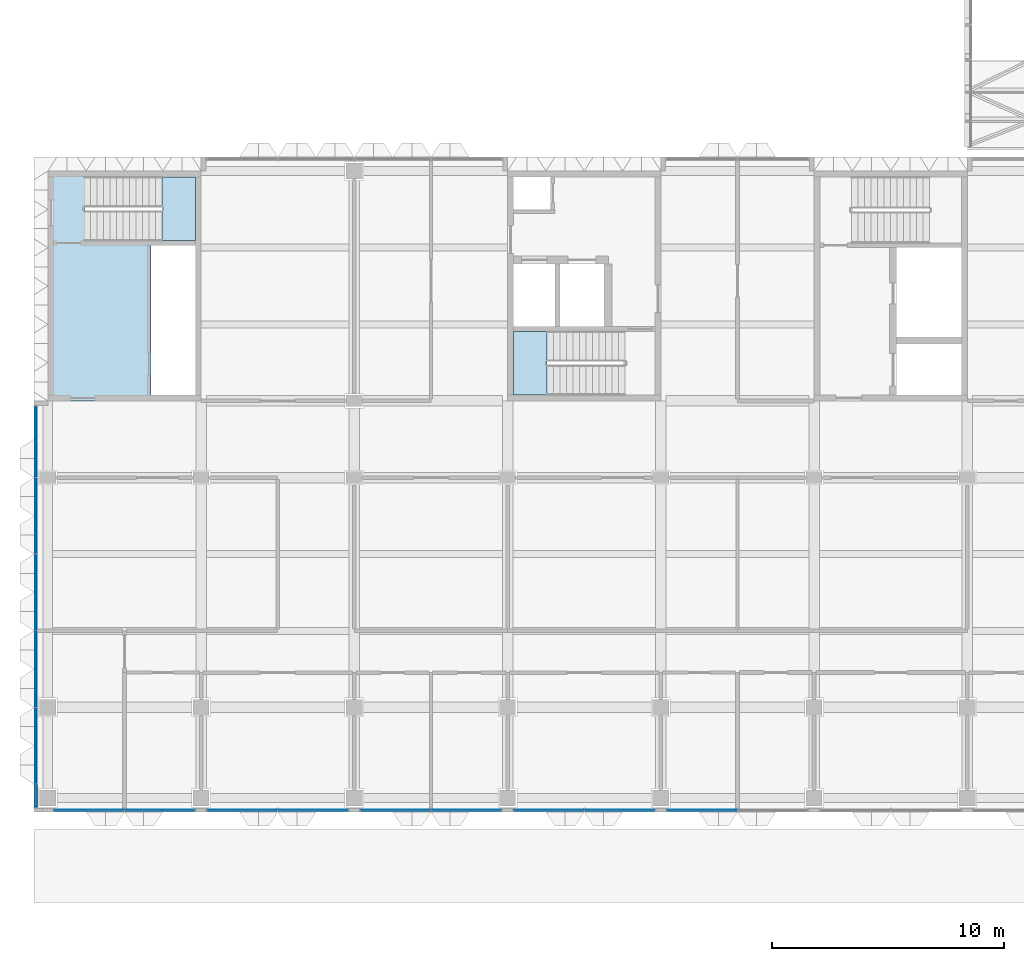
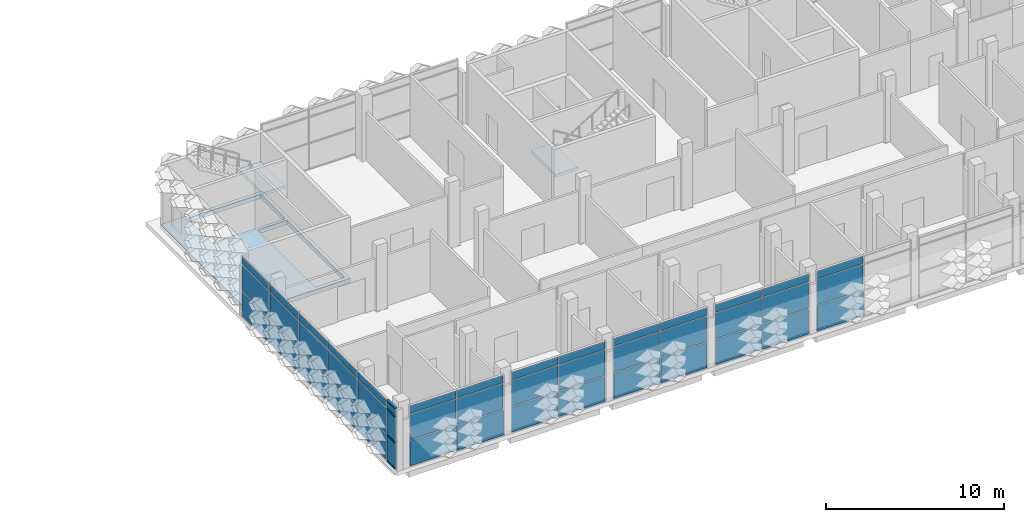
# One storey, part 41 of 109: 45 plates, 4 members, 3 slabs, 8 elements without a shape of their own.
"""IFC4 building model written with IfcOpenShell, lengths in metres."""

from ifc_helpers import new_model, si_unit, direction, frame, origin, origin_2d, place, context, subcontext, project, spatial, polyline, rectangle, outline, extrude, material, layer, layer_set, material_profile, profile_set, type_object, element, aggregate, save


model = new_model("IFC4")

# Units and contexts
model_context = context("Model", 3, precision=1e-05, world=origin(), true_north=direction((0.0, 1.0)))
body_context = subcontext(model_context, "Body", "Model", "MODEL_VIEW")
ifc_project = project(units=[si_unit("LENGTHUNIT", "METRE"), si_unit("AREAUNIT", "SQUARE_METRE"), si_unit("VOLUMEUNIT", "CUBIC_METRE"), si_unit("PLANEANGLEUNIT", "RADIAN"), si_unit("MASSUNIT", "GRAM", prefix="KILO")], contexts=[model_context])

# Site, building, storey
site_placement = place(None, origin())
site = spatial("IfcSite", under=ifc_project, at=site_placement, CompositionType="ELEMENT")
building_placement = place(site_placement, origin())
building = spatial("IfcBuilding", under=site, at=building_placement, Name="Lantern Court Research Institute", CompositionType="ELEMENT")
storey_placement = place(building_placement, frame((0.0, 0.0, 14.39990234375)))
storey = spatial("IfcBuildingStorey", under=building, at=storey_placement, Name="L03", CompositionType="ELEMENT", Elevation=14.39990234375)

# Curtain wall, members
ifc_material_1 = material(Name="Aluminium alloy 6063-T6", Category="aluminium")
curtain_wall_type_1 = type_object("IfcCurtainWallType", Name="Curtain wall 17350 x 4200 x 150 aluminium frame", PredefinedType="NOTDEFINED", material=ifc_material_1)
curtain_wall_1_placement = place(storey_placement, origin())
curtain_wall_1 = element("IfcCurtainWall", 1, at=curtain_wall_1_placement, inside=storey, type_object=curtain_wall_type_1, Name="Curtain wall CW056", PredefinedType="NOTDEFINED")
ifc_material_2 = material(Name="Aluminium alloy 6063-T6", Category="aluminium")
ifc_material_profile = material_profile(ifc_material_2, rectangle(XDim=0.14990234375, YDim=0.06005859375, at=origin_2d()), Name="Transom 150 x 60")
ifc_profile_set = profile_set([ifc_material_profile], Name="Aluminium alloy 6063-T6")
member_type = type_object("IfcMemberType", Name="Transom 150 x 60 aluminium", PredefinedType="USERDEFINED", material=ifc_profile_set)
member_1_placement = place(storey_placement, frame((-0.52490234375, -4.2900390625, 0.030029296875), z_axis=(0.0, 1.0, 0.0), x_axis=(-1.0, 0.0, 0.0)))
member_1 = element("IfcMember", 2, at=member_1_placement, type_object=member_type, Name="CW056 transom 1.1", ObjectType="TRANSOM", PredefinedType="USERDEFINED", context=body_context, shape_type="SweptSolid", body=[
    extrude(rectangle(XDim=0.14990234375, YDim=0.06005859375, at=origin_2d()), origin(), (0.0, 0.0, 1.0), 0.9599609375),
])
member_2_placement = place(storey_placement, frame((-0.52490234375, -4.2900390625, 1.800048828125), z_axis=(0.0, 1.0, 0.0), x_axis=(-1.0, 0.0, 0.0)))
member_2 = element("IfcMember", 3, at=member_2_placement, type_object=member_type, Name="CW056 transom 1.2", ObjectType="TRANSOM", PredefinedType="USERDEFINED", context=body_context, shape_type="SweptSolid", body=[
    extrude(rectangle(XDim=0.14990234375, YDim=0.06005859375, at=origin_2d()), origin(), (0.0, 0.0, 1.0), 0.9599609375),
])
member_3_placement = place(storey_placement, frame((-0.52490234375, -4.2900390625, 3.60009765625), z_axis=(0.0, 1.0, 0.0), x_axis=(-1.0, 0.0, 0.0)))
member_3 = element("IfcMember", 4, at=member_3_placement, type_object=member_type, Name="CW056 transom 1.3", ObjectType="TRANSOM", PredefinedType="USERDEFINED", context=body_context, shape_type="SweptSolid", body=[
    extrude(rectangle(XDim=0.14990234375, YDim=0.06005859375, at=origin_2d()), origin(), (0.0, 0.0, 1.0), 0.9599609375),
])
member_4_placement = place(storey_placement, frame((-0.52490234375, -4.2900390625, 4.170166015625), z_axis=(0.0, 1.0, 0.0), x_axis=(-1.0, 0.0, 0.0)))
member_4 = element("IfcMember", 5, at=member_4_placement, type_object=member_type, Name="CW056 transom 1.4", ObjectType="TRANSOM", PredefinedType="USERDEFINED", context=body_context, shape_type="SweptSolid", body=[
    extrude(rectangle(XDim=0.14990234375, YDim=0.06005859375, at=origin_2d()), origin(), (0.0, 0.0, 1.0), 0.9599609375),
])

# Curtain wall, plates
ifc_material_3 = material(Name="Aluminium alloy 6063-T6", Category="aluminium")
curtain_wall_type_2 = type_object("IfcCurtainWallType", Name="Curtain wall 6150 x 4200 x 150 aluminium frame", PredefinedType="NOTDEFINED", material=ifc_material_3)
curtain_wall_2_placement = place(storey_placement, origin())
curtain_wall_2 = element("IfcCurtainWall", 6, at=curtain_wall_2_placement, inside=storey, type_object=curtain_wall_type_2, Name="Curtain wall CW048", PredefinedType="NOTDEFINED")
ifc_material_4 = material(Name="Insulated aluminium spandrel panel", Category="aluminium")
ifc_layer_1 = layer(ifc_material_4, 0.10009765625)
ifc_layer_set_1 = layer_set([ifc_layer_1], Name="Insulated aluminium spandrel panel")
plate_type_1 = type_object("IfcPlateType", Name="Insulated spandrel panel 100 mm for south sun", PredefinedType="CURTAIN_PANEL", material=ifc_layer_set_1)
plate_1_placement = place(storey_placement, frame((1.777587890625, -4.425048828125, 0.06005859375), z_axis=(0.0, 0.0, 1.0), x_axis=(-1.0, 0.0, 0.0)))
plate_1 = element("IfcPlate", 7, at=plate_1_placement, type_object=plate_type_1, Name="CW048 spandrel panel 1.1", PredefinedType="CURTAIN_PANEL", context=body_context, shape_type="SweptSolid", body=[
    extrude(rectangle(XDim=2.985107421875, YDim=0.10009765625, at=origin_2d()), origin(), (0.0, 0.0, 1.0), 1.7099609375),
])
plate_2_placement = place(storey_placement, frame((4.822509765625, -4.425048828125, 0.06005859375), z_axis=(0.0, 0.0, 1.0), x_axis=(-1.0, 0.0, 0.0)))
plate_2 = element("IfcPlate", 8, at=plate_2_placement, type_object=plate_type_1, Name="CW048 spandrel panel 2.1", PredefinedType="CURTAIN_PANEL", context=body_context, shape_type="SweptSolid", body=[
    extrude(rectangle(XDim=2.985107421875, YDim=0.10009765625, at=origin_2d()), origin(), (0.0, 0.0, 1.0), 1.7099609375),
])

curtain_wall_3_placement = place(storey_placement, origin())
curtain_wall_3 = element("IfcCurtainWall", 9, at=curtain_wall_3_placement, inside=storey, type_object=curtain_wall_type_2, Name="Curtain wall CW049", PredefinedType="NOTDEFINED")
plate_3_placement = place(storey_placement, frame((8.37744140625, -4.425048828125, 0.06005859375), z_axis=(0.0, 0.0, 1.0), x_axis=(-1.0, 0.0, 0.0)))
plate_3 = element("IfcPlate", 10, at=plate_3_placement, type_object=plate_type_1, Name="CW049 spandrel panel 1.1", PredefinedType="CURTAIN_PANEL", context=body_context, shape_type="SweptSolid", body=[
    extrude(rectangle(XDim=2.985107421875, YDim=0.10009765625, at=origin_2d()), origin(), (0.0, 0.0, 1.0), 1.7099609375),
])
plate_4_placement = place(storey_placement, frame((11.422607421875, -4.425048828125, 0.06005859375), z_axis=(0.0, 0.0, 1.0), x_axis=(-1.0, 0.0, 0.0)))
plate_4 = element("IfcPlate", 11, at=plate_4_placement, type_object=plate_type_1, Name="CW049 spandrel panel 2.1", PredefinedType="CURTAIN_PANEL", context=body_context, shape_type="SweptSolid", body=[
    extrude(rectangle(XDim=2.985107421875, YDim=0.10009765625, at=origin_2d()), origin(), (0.0, 0.0, 1.0), 1.7099609375),
])

curtain_wall_4_placement = place(storey_placement, origin())
curtain_wall_4 = element("IfcCurtainWall", 12, at=curtain_wall_4_placement, inside=storey, type_object=curtain_wall_type_2, Name="Curtain wall CW050", PredefinedType="NOTDEFINED")
plate_5_placement = place(storey_placement, frame((14.9775390625, -4.425048828125, 0.06005859375), z_axis=(0.0, 0.0, 1.0), x_axis=(-1.0, 0.0, 0.0)))
plate_5 = element("IfcPlate", 13, at=plate_5_placement, type_object=plate_type_1, Name="CW050 spandrel panel 1.1", PredefinedType="CURTAIN_PANEL", context=body_context, shape_type="SweptSolid", body=[
    extrude(rectangle(XDim=2.985107421875, YDim=0.10009765625, at=origin_2d()), origin(), (0.0, 0.0, 1.0), 1.7099609375),
])
plate_6_placement = place(storey_placement, frame((18.0224609375, -4.425048828125, 0.06005859375), z_axis=(0.0, 0.0, 1.0), x_axis=(-1.0, 0.0, 0.0)))
plate_6 = element("IfcPlate", 14, at=plate_6_placement, type_object=plate_type_1, Name="CW050 spandrel panel 2.1", PredefinedType="CURTAIN_PANEL", context=body_context, shape_type="SweptSolid", body=[
    extrude(rectangle(XDim=2.985107421875, YDim=0.10009765625, at=origin_2d()), origin(), (0.0, 0.0, 1.0), 1.7099609375),
])

curtain_wall_5_placement = place(storey_placement, origin())
curtain_wall_5 = element("IfcCurtainWall", 15, at=curtain_wall_5_placement, inside=storey, type_object=curtain_wall_type_2, Name="Curtain wall CW051", PredefinedType="NOTDEFINED")
plate_7_placement = place(storey_placement, frame((21.577392578125, -4.425048828125, 0.06005859375), z_axis=(0.0, 0.0, 1.0), x_axis=(-1.0, 0.0, 0.0)))
plate_7 = element("IfcPlate", 16, at=plate_7_placement, type_object=plate_type_1, Name="CW051 spandrel panel 1.1", PredefinedType="CURTAIN_PANEL", context=body_context, shape_type="SweptSolid", body=[
    extrude(rectangle(XDim=2.985107421875, YDim=0.10009765625, at=origin_2d()), origin(), (0.0, 0.0, 1.0), 1.7099609375),
])
plate_8_placement = place(storey_placement, frame((24.62255859375, -4.425048828125, 0.06005859375), z_axis=(0.0, 0.0, 1.0), x_axis=(-1.0, 0.0, 0.0)))
plate_8 = element("IfcPlate", 17, at=plate_8_placement, type_object=plate_type_1, Name="CW051 spandrel panel 2.1", PredefinedType="CURTAIN_PANEL", context=body_context, shape_type="SweptSolid", body=[
    extrude(rectangle(XDim=2.985107421875, YDim=0.10009765625, at=origin_2d()), origin(), (0.0, 0.0, 1.0), 1.7099609375),
])

# Curtain wall, plate
curtain_wall_6_placement = place(storey_placement, origin())
curtain_wall_6 = element("IfcCurtainWall", 18, at=curtain_wall_6_placement, inside=storey, type_object=curtain_wall_type_2, Name="Curtain wall CW052", PredefinedType="NOTDEFINED")
plate_9_placement = place(storey_placement, frame((28.177490234375, -4.425048828125, 0.06005859375), z_axis=(0.0, 0.0, 1.0), x_axis=(-1.0, 0.0, 0.0)))
plate_9 = element("IfcPlate", 19, at=plate_9_placement, type_object=plate_type_1, Name="CW052 spandrel panel 1.1", PredefinedType="CURTAIN_PANEL", context=body_context, shape_type="SweptSolid", body=[
    extrude(rectangle(XDim=2.985107421875, YDim=0.10009765625, at=origin_2d()), origin(), (0.0, 0.0, 1.0), 1.7099609375),
])

# Plate
ifc_material_5 = material(Name="Insulated aluminium spandrel panel", Category="aluminium")
ifc_layer_2 = layer(ifc_material_5, 0.080078125)
ifc_layer_set_2 = layer_set([ifc_layer_2], Name="Insulated aluminium spandrel panel")
plate_type_2 = type_object("IfcPlateType", Name="Insulated spandrel panel 80 mm", PredefinedType="CURTAIN_PANEL", material=ifc_layer_set_2)
plate_10_placement = place(storey_placement, frame((-0.52490234375, -3.81005859375, 0.06005859375), z_axis=(0.0, 0.0, 1.0), x_axis=(0.0, 1.0, 0.0)))
plate_10 = element("IfcPlate", 20, at=plate_10_placement, type_object=plate_type_2, Name="CW056 spandrel panel 1.1", PredefinedType="CURTAIN_PANEL", context=body_context, shape_type="SweptSolid", body=[
    extrude(rectangle(XDim=0.9599609375, YDim=0.080078125, at=origin_2d()), origin(), (0.0, 0.0, 1.0), 1.7099609375),
])

plate_11_placement = place(storey_placement, frame((-0.52490234375, -1.64990234375, 0.06005859375), z_axis=(0.0, 0.0, 1.0), x_axis=(0.0, 1.0, 0.0)))
plate_11 = element("IfcPlate", 21, at=plate_11_placement, type_object=plate_type_2, Name="CW056 spandrel panel 2.1", PredefinedType="CURTAIN_PANEL", context=body_context, shape_type="SweptSolid", body=[
    extrude(rectangle(XDim=3.239990234375, YDim=0.080078125, at=origin_2d()), origin(), (0.0, 0.0, 1.0), 1.7099609375),
])

plate_12_placement = place(storey_placement, frame((-0.52490234375, 1.64990234375, 0.06005859375), z_axis=(0.0, 0.0, 1.0), x_axis=(0.0, 1.0, 0.0)))
plate_12 = element("IfcPlate", 22, at=plate_12_placement, type_object=plate_type_2, Name="CW056 spandrel panel 3.1", PredefinedType="CURTAIN_PANEL", context=body_context, shape_type="SweptSolid", body=[
    extrude(rectangle(XDim=3.239990234375, YDim=0.080078125, at=origin_2d()), origin(), (0.0, 0.0, 1.0), 1.7099609375),
])

plate_13_placement = place(storey_placement, frame((-0.52490234375, 4.949951171875, 0.06005859375), z_axis=(0.0, 0.0, 1.0), x_axis=(0.0, 1.0, 0.0)))
plate_13 = element("IfcPlate", 23, at=plate_13_placement, type_object=plate_type_2, Name="CW056 spandrel panel 4.1", PredefinedType="CURTAIN_PANEL", context=body_context, shape_type="SweptSolid", body=[
    extrude(rectangle(XDim=3.239990234375, YDim=0.080078125, at=origin_2d()), origin(), (0.0, 0.0, 1.0), 1.7099609375),
])

plate_14_placement = place(storey_placement, frame((-0.52490234375, 8.25, 0.06005859375), z_axis=(0.0, 0.0, 1.0), x_axis=(0.0, 1.0, 0.0)))
plate_14 = element("IfcPlate", 24, at=plate_14_placement, type_object=plate_type_2, Name="CW056 spandrel panel 5.1", PredefinedType="CURTAIN_PANEL", context=body_context, shape_type="SweptSolid", body=[
    extrude(rectangle(XDim=3.239990234375, YDim=0.080078125, at=origin_2d()), origin(), (0.0, 0.0, 1.0), 1.7099609375),
])

plate_15_placement = place(storey_placement, frame((-0.52490234375, 11.43505859375, 0.06005859375), z_axis=(0.0, 0.0, 1.0), x_axis=(0.0, 1.0, 0.0)))
plate_15 = element("IfcPlate", 25, at=plate_15_placement, type_object=plate_type_2, Name="CW056 spandrel panel 6.1", PredefinedType="CURTAIN_PANEL", context=body_context, shape_type="SweptSolid", body=[
    extrude(rectangle(XDim=3.010009765625, YDim=0.080078125, at=origin_2d()), origin(), (0.0, 0.0, 1.0), 1.7099609375),
])

ifc_material_6 = material(Name="Laminated low-emissivity glass", Category="glass")
ifc_layer_3 = layer(ifc_material_6, 0.031982421875)
ifc_layer_set_3 = layer_set([ifc_layer_3], Name="Laminated low-emissivity glass")
plate_type_3 = type_object("IfcPlateType", Name="Laminated low-emissivity unit 32 mm", PredefinedType="CURTAIN_PANEL", material=ifc_layer_set_3)
plate_16_placement = place(storey_placement, frame((-0.52490234375, -3.81005859375, 1.830078125), z_axis=(0.0, 0.0, 1.0), x_axis=(0.0, 1.0, 0.0)))
plate_16 = element("IfcPlate", 26, at=plate_16_placement, type_object=plate_type_3, Name="CW056 glazed panel 1.2", PredefinedType="CURTAIN_PANEL", context=body_context, shape_type="SweptSolid", body=[
    extrude(rectangle(XDim=0.9599609375, YDim=0.031982421875, at=origin_2d()), origin(), (0.0, 0.0, 1.0), 1.739990234375),
])

plate_17_placement = place(storey_placement, frame((-0.52490234375, -3.81005859375, 3.6298828125), z_axis=(0.0, 0.0, 1.0), x_axis=(0.0, 1.0, 0.0)))
plate_17 = element("IfcPlate", 27, at=plate_17_placement, type_object=plate_type_3, Name="CW056 glazed panel 1.3", PredefinedType="CURTAIN_PANEL", context=body_context, shape_type="SweptSolid", body=[
    extrude(rectangle(XDim=0.9599609375, YDim=0.031982421875, at=origin_2d()), origin(), (0.0, 0.0, 1.0), 0.510009765625),
])

plate_18_placement = place(storey_placement, frame((-0.52490234375, -1.64990234375, 1.830078125), z_axis=(0.0, 0.0, 1.0), x_axis=(0.0, 1.0, 0.0)))
plate_18 = element("IfcPlate", 28, at=plate_18_placement, type_object=plate_type_3, Name="CW056 glazed panel 2.2", PredefinedType="CURTAIN_PANEL", context=body_context, shape_type="SweptSolid", body=[
    extrude(rectangle(XDim=3.239990234375, YDim=0.031982421875, at=origin_2d()), origin(), (0.0, 0.0, 1.0), 1.739990234375),
])

plate_19_placement = place(storey_placement, frame((-0.52490234375, -1.64990234375, 3.6298828125), z_axis=(0.0, 0.0, 1.0), x_axis=(0.0, 1.0, 0.0)))
plate_19 = element("IfcPlate", 29, at=plate_19_placement, type_object=plate_type_3, Name="CW056 glazed panel 2.3", PredefinedType="CURTAIN_PANEL", context=body_context, shape_type="SweptSolid", body=[
    extrude(rectangle(XDim=3.239990234375, YDim=0.031982421875, at=origin_2d()), origin(), (0.0, 0.0, 1.0), 0.510009765625),
])

plate_20_placement = place(storey_placement, frame((-0.52490234375, 1.64990234375, 1.830078125), z_axis=(0.0, 0.0, 1.0), x_axis=(0.0, 1.0, 0.0)))
plate_20 = element("IfcPlate", 30, at=plate_20_placement, type_object=plate_type_3, Name="CW056 glazed panel 3.2", PredefinedType="CURTAIN_PANEL", context=body_context, shape_type="SweptSolid", body=[
    extrude(rectangle(XDim=3.239990234375, YDim=0.031982421875, at=origin_2d()), origin(), (0.0, 0.0, 1.0), 1.739990234375),
])

plate_21_placement = place(storey_placement, frame((-0.52490234375, 1.64990234375, 3.6298828125), z_axis=(0.0, 0.0, 1.0), x_axis=(0.0, 1.0, 0.0)))
plate_21 = element("IfcPlate", 31, at=plate_21_placement, type_object=plate_type_3, Name="CW056 glazed panel 3.3", PredefinedType="CURTAIN_PANEL", context=body_context, shape_type="SweptSolid", body=[
    extrude(rectangle(XDim=3.239990234375, YDim=0.031982421875, at=origin_2d()), origin(), (0.0, 0.0, 1.0), 0.510009765625),
])

plate_22_placement = place(storey_placement, frame((-0.52490234375, 4.949951171875, 1.830078125), z_axis=(0.0, 0.0, 1.0), x_axis=(0.0, 1.0, 0.0)))
plate_22 = element("IfcPlate", 32, at=plate_22_placement, type_object=plate_type_3, Name="CW056 glazed panel 4.2", PredefinedType="CURTAIN_PANEL", context=body_context, shape_type="SweptSolid", body=[
    extrude(rectangle(XDim=3.239990234375, YDim=0.031982421875, at=origin_2d()), origin(), (0.0, 0.0, 1.0), 1.739990234375),
])

plate_23_placement = place(storey_placement, frame((-0.52490234375, 4.949951171875, 3.6298828125), z_axis=(0.0, 0.0, 1.0), x_axis=(0.0, 1.0, 0.0)))
plate_23 = element("IfcPlate", 33, at=plate_23_placement, type_object=plate_type_3, Name="CW056 glazed panel 4.3", PredefinedType="CURTAIN_PANEL", context=body_context, shape_type="SweptSolid", body=[
    extrude(rectangle(XDim=3.239990234375, YDim=0.031982421875, at=origin_2d()), origin(), (0.0, 0.0, 1.0), 0.510009765625),
])

plate_24_placement = place(storey_placement, frame((-0.52490234375, 8.25, 1.830078125), z_axis=(0.0, 0.0, 1.0), x_axis=(0.0, 1.0, 0.0)))
plate_24 = element("IfcPlate", 34, at=plate_24_placement, type_object=plate_type_3, Name="CW056 glazed panel 5.2", PredefinedType="CURTAIN_PANEL", context=body_context, shape_type="SweptSolid", body=[
    extrude(rectangle(XDim=3.239990234375, YDim=0.031982421875, at=origin_2d()), origin(), (0.0, 0.0, 1.0), 1.739990234375),
])

plate_25_placement = place(storey_placement, frame((-0.52490234375, 8.25, 3.6298828125), z_axis=(0.0, 0.0, 1.0), x_axis=(0.0, 1.0, 0.0)))
plate_25 = element("IfcPlate", 35, at=plate_25_placement, type_object=plate_type_3, Name="CW056 glazed panel 5.3", PredefinedType="CURTAIN_PANEL", context=body_context, shape_type="SweptSolid", body=[
    extrude(rectangle(XDim=3.239990234375, YDim=0.031982421875, at=origin_2d()), origin(), (0.0, 0.0, 1.0), 0.510009765625),
])

plate_26_placement = place(storey_placement, frame((-0.52490234375, 11.43505859375, 1.830078125), z_axis=(0.0, 0.0, 1.0), x_axis=(0.0, 1.0, 0.0)))
plate_26 = element("IfcPlate", 36, at=plate_26_placement, type_object=plate_type_3, Name="CW056 glazed panel 6.2", PredefinedType="CURTAIN_PANEL", context=body_context, shape_type="SweptSolid", body=[
    extrude(rectangle(XDim=3.010009765625, YDim=0.031982421875, at=origin_2d()), origin(), (0.0, 0.0, 1.0), 1.739990234375),
])

plate_27_placement = place(storey_placement, frame((-0.52490234375, 11.43505859375, 3.6298828125), z_axis=(0.0, 0.0, 1.0), x_axis=(0.0, 1.0, 0.0)))
plate_27 = element("IfcPlate", 37, at=plate_27_placement, type_object=plate_type_3, Name="CW056 glazed panel 6.3", PredefinedType="CURTAIN_PANEL", context=body_context, shape_type="SweptSolid", body=[
    extrude(rectangle(XDim=3.010009765625, YDim=0.031982421875, at=origin_2d()), origin(), (0.0, 0.0, 1.0), 0.510009765625),
])

aggregate(curtain_wall_1, [member_1, member_2, member_3, member_4, plate_10, plate_16, plate_17, plate_11, plate_18, plate_19, plate_12, plate_20, plate_21, plate_13, plate_22, plate_23, plate_14, plate_24, plate_25, plate_15, plate_26, plate_27])

# Slab
ifc_material_7 = material(Name="Concrete C35/45", Category="concrete")
ifc_layer_4 = layer(ifc_material_7, 0.300048828125)
ifc_layer_set_4 = layer_set([ifc_layer_4], Name="Concrete C35/45")
slab_type_1 = type_object("IfcSlabType", Name="RC core floor slab 300", PredefinedType="FLOOR", material=ifc_layer_set_4)
slab_1_placement = place(storey_placement, frame((0.0, 0.0, -0.2998046875)))
element("IfcSlab", 38, at=slab_1_placement, inside=storey, type_object=slab_type_1, Name="Floor of core BC-W", PredefinedType="FLOOR", context=body_context, shape_type="SweptSolid", body=[
    extrude(outline(polyline([(0.0, 13.199951171875), (6.60009765625, 13.199951171875), (6.60009765625, 23.10009765625), (0.0, 23.10009765625), (0.0, 13.199951171875)]), holes=[polyline([(1.60009765625, 20.10009765625), (6.35009765625, 20.10009765625), (6.35009765625, 22.85009765625), (1.60009765625, 22.85009765625), (1.60009765625, 20.10009765625)]), polyline([(4.449951171875, 13.449951171875), (4.449951171875, 19.89990234375), (6.35009765625, 19.89990234375), (6.35009765625, 13.449951171875), (4.449951171875, 13.449951171875)])]), origin(), (0.0, 0.0, 1.0), 0.2998046875),
])

# Stair, slab
ifc_material_8 = material(Name="Concrete C40/50", Category="concrete")
stair_type = type_object("IfcStairType", Name="RC half-turn stair 1300 wide, 4500 rise, 6100 shaft", PredefinedType="HALF_TURN_STAIR", material=ifc_material_8)
stair_1_placement = place(storey_placement, origin())
stair_1 = element("IfcStair", 39, at=stair_1_placement, inside=storey, type_object=stair_type, Name="L03 stair ST-B1", PredefinedType="HALF_TURN_STAIR")
ifc_material_9 = material(Name="Concrete C40/50", Category="concrete")
ifc_layer_5 = layer(ifc_material_9, 0.199951171875)
ifc_layer_set_5 = layer_set([ifc_layer_5], Name="Concrete C40/50")
slab_type_2 = type_object("IfcSlabType", Name="RC stair landing 200", PredefinedType="LANDING", material=ifc_layer_set_5)
slab_2_placement = place(storey_placement, frame((0.0, 0.0, 2.050048828125)))
slab_2 = element("IfcSlab", 40, at=slab_2_placement, type_object=slab_type_2, Name="ST-B1 landing 1", PredefinedType="LANDING", context=body_context, shape_type="SweptSolid", body=[
    extrude(outline(polyline([(4.909912109375, 20.10009765625), (6.35009765625, 20.10009765625), (6.35009765625, 22.85009765625), (4.909912109375, 22.85009765625), (4.909912109375, 20.10009765625)])), origin(), (0.0, 0.0, 1.0), 0.199951171875),
])
aggregate(stair_1, [slab_2])

stair_2_placement = place(storey_placement, origin())
stair_2 = element("IfcStair", 41, at=stair_2_placement, inside=storey, type_object=stair_type, Name="L03 stair ST-B2", PredefinedType="HALF_TURN_STAIR")
slab_3_placement = place(storey_placement, frame((0.0, 0.0, 2.050048828125)))
slab_3 = element("IfcSlab", 42, at=slab_3_placement, type_object=slab_type_2, Name="ST-B2 landing 1", PredefinedType="LANDING", context=body_context, shape_type="SweptSolid", body=[
    extrude(outline(polyline([(21.489990234375, 16.199951171875), (20.050048828125, 16.199951171875), (20.050048828125, 13.449951171875), (21.489990234375, 13.449951171875), (21.489990234375, 16.199951171875)])), origin(), (0.0, 0.0, 1.0), 0.199951171875),
])
aggregate(stair_2, [slab_3])

# Plate
ifc_material_10 = material(Name="Laminated low-emissivity glass", Category="glass")
ifc_layer_6 = layer(ifc_material_10, 0.035888671875)
ifc_layer_set_6 = layer_set([ifc_layer_6], Name="Laminated low-emissivity glass")
plate_type_4 = type_object("IfcPlateType", Name="Solar control laminated unit 36 mm", PredefinedType="CURTAIN_PANEL", material=ifc_layer_set_6)
plate_28_placement = place(storey_placement, frame((1.777587890625, -4.425048828125, 1.830078125), z_axis=(0.0, 0.0, 1.0), x_axis=(-1.0, 0.0, 0.0)))
plate_28 = element("IfcPlate", 43, at=plate_28_placement, type_object=plate_type_4, Name="CW048 glazed panel 1.2", PredefinedType="CURTAIN_PANEL", context=body_context, shape_type="SweptSolid", body=[
    extrude(rectangle(XDim=2.985107421875, YDim=0.035888671875, at=origin_2d()), origin(), (0.0, 0.0, 1.0), 1.739990234375),
])

plate_29_placement = place(storey_placement, frame((1.777587890625, -4.425048828125, 3.6298828125), z_axis=(0.0, 0.0, 1.0), x_axis=(-1.0, 0.0, 0.0)))
plate_29 = element("IfcPlate", 44, at=plate_29_placement, type_object=plate_type_4, Name="CW048 glazed panel 1.3", PredefinedType="CURTAIN_PANEL", context=body_context, shape_type="SweptSolid", body=[
    extrude(rectangle(XDim=2.985107421875, YDim=0.035888671875, at=origin_2d()), origin(), (0.0, 0.0, 1.0), 0.510009765625),
])

plate_30_placement = place(storey_placement, frame((4.822509765625, -4.425048828125, 1.830078125), z_axis=(0.0, 0.0, 1.0), x_axis=(-1.0, 0.0, 0.0)))
plate_30 = element("IfcPlate", 45, at=plate_30_placement, type_object=plate_type_4, Name="CW048 glazed panel 2.2", PredefinedType="CURTAIN_PANEL", context=body_context, shape_type="SweptSolid", body=[
    extrude(rectangle(XDim=2.985107421875, YDim=0.035888671875, at=origin_2d()), origin(), (0.0, 0.0, 1.0), 1.739990234375),
])

plate_31_placement = place(storey_placement, frame((4.822509765625, -4.425048828125, 3.6298828125), z_axis=(0.0, 0.0, 1.0), x_axis=(-1.0, 0.0, 0.0)))
plate_31 = element("IfcPlate", 46, at=plate_31_placement, type_object=plate_type_4, Name="CW048 glazed panel 2.3", PredefinedType="CURTAIN_PANEL", context=body_context, shape_type="SweptSolid", body=[
    extrude(rectangle(XDim=2.985107421875, YDim=0.035888671875, at=origin_2d()), origin(), (0.0, 0.0, 1.0), 0.510009765625),
])

aggregate(curtain_wall_2, [plate_1, plate_28, plate_29, plate_2, plate_30, plate_31])

plate_32_placement = place(storey_placement, frame((8.37744140625, -4.425048828125, 1.830078125), z_axis=(0.0, 0.0, 1.0), x_axis=(-1.0, 0.0, 0.0)))
plate_32 = element("IfcPlate", 47, at=plate_32_placement, type_object=plate_type_4, Name="CW049 glazed panel 1.2", PredefinedType="CURTAIN_PANEL", context=body_context, shape_type="SweptSolid", body=[
    extrude(rectangle(XDim=2.985107421875, YDim=0.035888671875, at=origin_2d()), origin(), (0.0, 0.0, 1.0), 1.739990234375),
])

plate_33_placement = place(storey_placement, frame((8.37744140625, -4.425048828125, 3.6298828125), z_axis=(0.0, 0.0, 1.0), x_axis=(-1.0, 0.0, 0.0)))
plate_33 = element("IfcPlate", 48, at=plate_33_placement, type_object=plate_type_4, Name="CW049 glazed panel 1.3", PredefinedType="CURTAIN_PANEL", context=body_context, shape_type="SweptSolid", body=[
    extrude(rectangle(XDim=2.985107421875, YDim=0.035888671875, at=origin_2d()), origin(), (0.0, 0.0, 1.0), 0.510009765625),
])

plate_34_placement = place(storey_placement, frame((11.422607421875, -4.425048828125, 1.830078125), z_axis=(0.0, 0.0, 1.0), x_axis=(-1.0, 0.0, 0.0)))
plate_34 = element("IfcPlate", 49, at=plate_34_placement, type_object=plate_type_4, Name="CW049 glazed panel 2.2", PredefinedType="CURTAIN_PANEL", context=body_context, shape_type="SweptSolid", body=[
    extrude(rectangle(XDim=2.985107421875, YDim=0.035888671875, at=origin_2d()), origin(), (0.0, 0.0, 1.0), 1.739990234375),
])

plate_35_placement = place(storey_placement, frame((11.422607421875, -4.425048828125, 3.6298828125), z_axis=(0.0, 0.0, 1.0), x_axis=(-1.0, 0.0, 0.0)))
plate_35 = element("IfcPlate", 50, at=plate_35_placement, type_object=plate_type_4, Name="CW049 glazed panel 2.3", PredefinedType="CURTAIN_PANEL", context=body_context, shape_type="SweptSolid", body=[
    extrude(rectangle(XDim=2.985107421875, YDim=0.035888671875, at=origin_2d()), origin(), (0.0, 0.0, 1.0), 0.510009765625),
])

aggregate(curtain_wall_3, [plate_3, plate_32, plate_33, plate_4, plate_34, plate_35])

plate_36_placement = place(storey_placement, frame((14.9775390625, -4.425048828125, 1.830078125), z_axis=(0.0, 0.0, 1.0), x_axis=(-1.0, 0.0, 0.0)))
plate_36 = element("IfcPlate", 51, at=plate_36_placement, type_object=plate_type_4, Name="CW050 glazed panel 1.2", PredefinedType="CURTAIN_PANEL", context=body_context, shape_type="SweptSolid", body=[
    extrude(rectangle(XDim=2.985107421875, YDim=0.035888671875, at=origin_2d()), origin(), (0.0, 0.0, 1.0), 1.739990234375),
])

plate_37_placement = place(storey_placement, frame((14.9775390625, -4.425048828125, 3.6298828125), z_axis=(0.0, 0.0, 1.0), x_axis=(-1.0, 0.0, 0.0)))
plate_37 = element("IfcPlate", 52, at=plate_37_placement, type_object=plate_type_4, Name="CW050 glazed panel 1.3", PredefinedType="CURTAIN_PANEL", context=body_context, shape_type="SweptSolid", body=[
    extrude(rectangle(XDim=2.985107421875, YDim=0.035888671875, at=origin_2d()), origin(), (0.0, 0.0, 1.0), 0.510009765625),
])

plate_38_placement = place(storey_placement, frame((18.0224609375, -4.425048828125, 1.830078125), z_axis=(0.0, 0.0, 1.0), x_axis=(-1.0, 0.0, 0.0)))
plate_38 = element("IfcPlate", 53, at=plate_38_placement, type_object=plate_type_4, Name="CW050 glazed panel 2.2", PredefinedType="CURTAIN_PANEL", context=body_context, shape_type="SweptSolid", body=[
    extrude(rectangle(XDim=2.985107421875, YDim=0.035888671875, at=origin_2d()), origin(), (0.0, 0.0, 1.0), 1.739990234375),
])

plate_39_placement = place(storey_placement, frame((18.0224609375, -4.425048828125, 3.6298828125), z_axis=(0.0, 0.0, 1.0), x_axis=(-1.0, 0.0, 0.0)))
plate_39 = element("IfcPlate", 54, at=plate_39_placement, type_object=plate_type_4, Name="CW050 glazed panel 2.3", PredefinedType="CURTAIN_PANEL", context=body_context, shape_type="SweptSolid", body=[
    extrude(rectangle(XDim=2.985107421875, YDim=0.035888671875, at=origin_2d()), origin(), (0.0, 0.0, 1.0), 0.510009765625),
])

aggregate(curtain_wall_4, [plate_5, plate_36, plate_37, plate_6, plate_38, plate_39])

plate_40_placement = place(storey_placement, frame((21.577392578125, -4.425048828125, 1.830078125), z_axis=(0.0, 0.0, 1.0), x_axis=(-1.0, 0.0, 0.0)))
plate_40 = element("IfcPlate", 55, at=plate_40_placement, type_object=plate_type_4, Name="CW051 glazed panel 1.2", PredefinedType="CURTAIN_PANEL", context=body_context, shape_type="SweptSolid", body=[
    extrude(rectangle(XDim=2.985107421875, YDim=0.035888671875, at=origin_2d()), origin(), (0.0, 0.0, 1.0), 1.739990234375),
])

plate_41_placement = place(storey_placement, frame((21.577392578125, -4.425048828125, 3.6298828125), z_axis=(0.0, 0.0, 1.0), x_axis=(-1.0, 0.0, 0.0)))
plate_41 = element("IfcPlate", 56, at=plate_41_placement, type_object=plate_type_4, Name="CW051 glazed panel 1.3", PredefinedType="CURTAIN_PANEL", context=body_context, shape_type="SweptSolid", body=[
    extrude(rectangle(XDim=2.985107421875, YDim=0.035888671875, at=origin_2d()), origin(), (0.0, 0.0, 1.0), 0.510009765625),
])

plate_42_placement = place(storey_placement, frame((24.62255859375, -4.425048828125, 1.830078125), z_axis=(0.0, 0.0, 1.0), x_axis=(-1.0, 0.0, 0.0)))
plate_42 = element("IfcPlate", 57, at=plate_42_placement, type_object=plate_type_4, Name="CW051 glazed panel 2.2", PredefinedType="CURTAIN_PANEL", context=body_context, shape_type="SweptSolid", body=[
    extrude(rectangle(XDim=2.985107421875, YDim=0.035888671875, at=origin_2d()), origin(), (0.0, 0.0, 1.0), 1.739990234375),
])

plate_43_placement = place(storey_placement, frame((24.62255859375, -4.425048828125, 3.6298828125), z_axis=(0.0, 0.0, 1.0), x_axis=(-1.0, 0.0, 0.0)))
plate_43 = element("IfcPlate", 58, at=plate_43_placement, type_object=plate_type_4, Name="CW051 glazed panel 2.3", PredefinedType="CURTAIN_PANEL", context=body_context, shape_type="SweptSolid", body=[
    extrude(rectangle(XDim=2.985107421875, YDim=0.035888671875, at=origin_2d()), origin(), (0.0, 0.0, 1.0), 0.510009765625),
])

aggregate(curtain_wall_5, [plate_7, plate_40, plate_41, plate_8, plate_42, plate_43])

plate_44_placement = place(storey_placement, frame((28.177490234375, -4.425048828125, 1.830078125), z_axis=(0.0, 0.0, 1.0), x_axis=(-1.0, 0.0, 0.0)))
plate_44 = element("IfcPlate", 59, at=plate_44_placement, type_object=plate_type_4, Name="CW052 glazed panel 1.2", PredefinedType="CURTAIN_PANEL", context=body_context, shape_type="SweptSolid", body=[
    extrude(rectangle(XDim=2.985107421875, YDim=0.035888671875, at=origin_2d()), origin(), (0.0, 0.0, 1.0), 1.739990234375),
])

plate_45_placement = place(storey_placement, frame((28.177490234375, -4.425048828125, 3.6298828125), z_axis=(0.0, 0.0, 1.0), x_axis=(-1.0, 0.0, 0.0)))
plate_45 = element("IfcPlate", 60, at=plate_45_placement, type_object=plate_type_4, Name="CW052 glazed panel 1.3", PredefinedType="CURTAIN_PANEL", context=body_context, shape_type="SweptSolid", body=[
    extrude(rectangle(XDim=2.985107421875, YDim=0.035888671875, at=origin_2d()), origin(), (0.0, 0.0, 1.0), 0.510009765625),
])

aggregate(curtain_wall_6, [plate_9, plate_44, plate_45])

save(model, "model.ifc")
